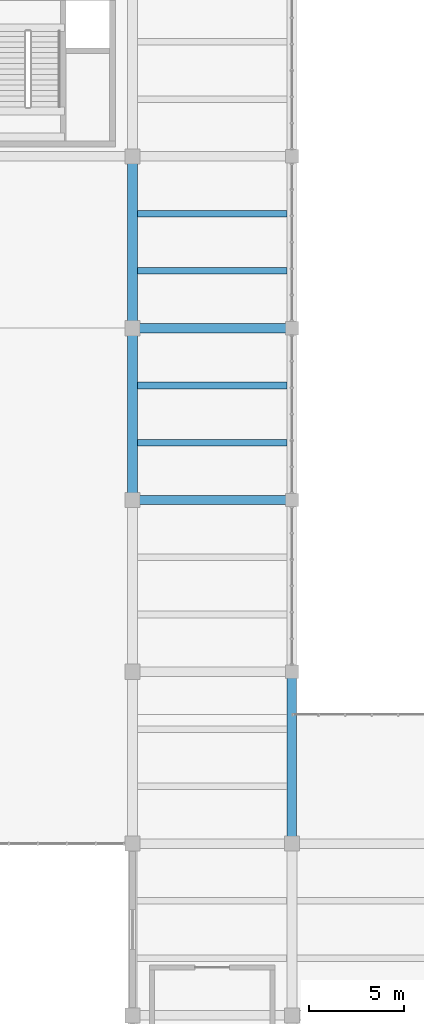
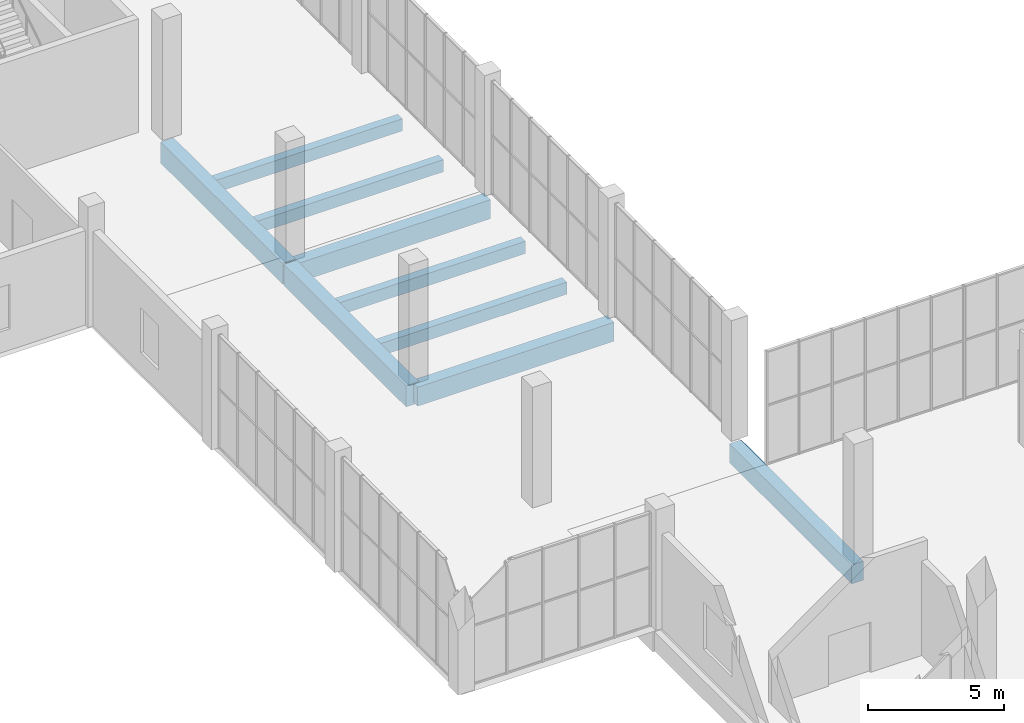
# One storey, part 14 of 91: 9 beams.
"""IFC4 building model written with IfcOpenShell, lengths in metres."""

from ifc_helpers import new_model, si_unit, direction, frame, origin, origin_2d, place, context, subcontext, project, spatial, rectangle, extrude, material, material_profile, profile_set, type_object, element, save


model = new_model("IFC4")

# Units and contexts
model_context = context("Model", 3, precision=1e-05, world=origin(), true_north=direction((0.0, 1.0)))
body_context = subcontext(model_context, "Body", "Model", "MODEL_VIEW")
ifc_project = project(units=[si_unit("LENGTHUNIT", "METRE"), si_unit("AREAUNIT", "SQUARE_METRE"), si_unit("VOLUMEUNIT", "CUBIC_METRE"), si_unit("PLANEANGLEUNIT", "RADIAN"), si_unit("MASSUNIT", "GRAM", prefix="KILO")], contexts=[model_context])

# Site, building, storey
site_placement = place(None, origin())
site = spatial("IfcSite", under=ifc_project, at=site_placement, CompositionType="ELEMENT")
building_placement = place(site_placement, origin())
building = spatial("IfcBuilding", under=site, at=building_placement, Name="Khurvash Pelagic Aquarium", CompositionType="ELEMENT")
storey_placement = place(building_placement, origin())
storey = spatial("IfcBuildingStorey", under=building, at=storey_placement, Name="L00", CompositionType="ELEMENT", Elevation=0.0)

# Beams
ifc_material_1 = material(Name="Concrete C40/50", Category="concrete")
ifc_material_profile_1 = material_profile(ifc_material_1, rectangle(XDim=0.550048828125, YDim=0.949951171875, at=origin_2d()), Name="RC550X950")
ifc_profile_set_1 = profile_set([ifc_material_profile_1], Name="Concrete C40/50")
beam_type_1 = type_object("IfcBeamType", Name="BM-02", PredefinedType="BEAM", material=ifc_profile_set_1)
beam_1_placement = place(storey_placement, frame((25.199951171875, 47.889892578125, -0.794921875), z_axis=(0.0, 1.0, 0.0), x_axis=(-1.0, 0.0, 0.0)))
element("IfcBeam", 1, at=beam_1_placement, inside=storey, type_object=beam_type_1, Name="L00 Primary Girder BM-02 00084", PredefinedType="BEAM", context=body_context, shape_type="SweptSolid", body=[
    extrude(rectangle(XDim=0.550048828125, YDim=0.949951171875, at=origin_2d()), origin(), (0.0, 0.0, 1.0), 8.97021484375),
])
beam_2_placement = place(storey_placement, frame((25.199951171875, 56.93994140625, -0.794921875), z_axis=(0.0, 1.0, 0.0), x_axis=(-1.0, 0.0, 0.0)))
element("IfcBeam", 2, at=beam_2_placement, inside=storey, type_object=beam_type_1, Name="L00 Primary Girder BM-02 00085", PredefinedType="BEAM", context=body_context, shape_type="SweptSolid", body=[
    extrude(rectangle(XDim=0.550048828125, YDim=0.949951171875, at=origin_2d()), origin(), (0.0, 0.0, 1.0), 8.969970703125),
])
ifc_material_profile_2 = material_profile(ifc_material_1, rectangle(XDim=0.5, YDim=0.85009765625, at=origin_2d()), Name="RC500X850")
ifc_profile_set_2 = profile_set([ifc_material_profile_2], Name="Concrete C40/50")
beam_type_2 = type_object("IfcBeamType", Name="BM-03", PredefinedType="BEAM", material=ifc_profile_set_2)
for number, where, z_axis, x_axis, name in (
    (3, (25.239990234375, 47.85009765625, -0.7451171875), (1.0, 0.0, 0.0), (0.0, 1.0, 0.0), "L00 Primary Girder BM-03 00043"),
    (4, (25.239990234375, 56.89990234375, -0.7451171875), (1.0, 0.0, 0.0), (0.0, 1.0, 0.0), "L00 Primary Girder BM-03 00044"),
):
    element("IfcBeam", number, at=place(storey_placement, frame(where, z_axis=z_axis, x_axis=x_axis)), inside=storey, type_object=beam_type_2, Name=name, PredefinedType="BEAM", context=body_context, shape_type="SweptSolid", body=[
        extrude(rectangle(XDim=0.5, YDim=0.85009765625, at=origin_2d()), origin(), (0.0, 0.0, 1.0), 8.320068359375),
    ])
ifc_material_2 = material(Name="Concrete C35/45", Category="concrete")
ifc_material_profile_3 = material_profile(ifc_material_2, rectangle(XDim=0.35009765625, YDim=0.550048828125, at=origin_2d()), Name="RC350X550")
ifc_profile_set_3 = profile_set([ifc_material_profile_3], Name="Concrete C35/45")
beam_type_3 = type_object("IfcBeamType", Name="JS-01", PredefinedType="JOIST", material=ifc_profile_set_3)
for number, where, z_axis, x_axis, name in (
    (5, (25.47509765625, 50.866943359375, -0.594970703125), (1.0, 0.0, 0.0), (0.0, 1.0, 0.0), "L00 Floor Joist JS-01 00161"),
    (6, (25.47509765625, 53.883056640625, -0.594970703125), (1.0, 0.0, 0.0), (0.0, 1.0, 0.0), "L00 Floor Joist JS-01 00162"),
    (7, (25.47509765625, 59.9169921875, -0.594970703125), (1.0, 0.0, 0.0), (0.0, 1.0, 0.0), "L00 Floor Joist JS-01 00163"),
    (8, (25.47509765625, 62.93310546875, -0.594970703125), (1.0, 0.0, 0.0), (0.0, 1.0, 0.0), "L00 Floor Joist JS-01 00164"),
):
    element("IfcBeam", number, at=place(storey_placement, frame(where, z_axis=z_axis, x_axis=x_axis)), inside=storey, type_object=beam_type_3, Name=name, PredefinedType="JOIST", context=body_context, shape_type="SweptSolid", body=[
        extrude(rectangle(XDim=0.35009765625, YDim=0.550048828125, at=origin_2d()), origin(), (0.0, 0.0, 1.0), 7.875),
    ])
ifc_material_profile_4 = material_profile(ifc_material_1, rectangle(XDim=0.5, YDim=0.85009765625, at=origin_2d()), Name="RC500X850")
ifc_profile_set_4 = profile_set([ifc_material_profile_4], Name="Concrete C40/50")
beam_type_4 = type_object("IfcBeamType", Name="SEB-03", PredefinedType="SPANDREL", material=ifc_profile_set_4)
beam_3_placement = place(storey_placement, frame((33.60009765625, 29.7900390625, -0.7451171875), z_axis=(0.0, 1.0, 0.0), x_axis=(-1.0, 0.0, 0.0)))
element("IfcBeam", 9, at=beam_3_placement, inside=storey, type_object=beam_type_4, Name="L00 Primary Girder SEB-03 00091", PredefinedType="SPANDREL", context=body_context, shape_type="SweptSolid", body=[
    extrude(rectangle(XDim=0.5, YDim=0.85009765625, at=origin_2d()), origin(), (0.0, 0.0, 1.0), 8.969970703125),
])

save(model, "model.ifc")
